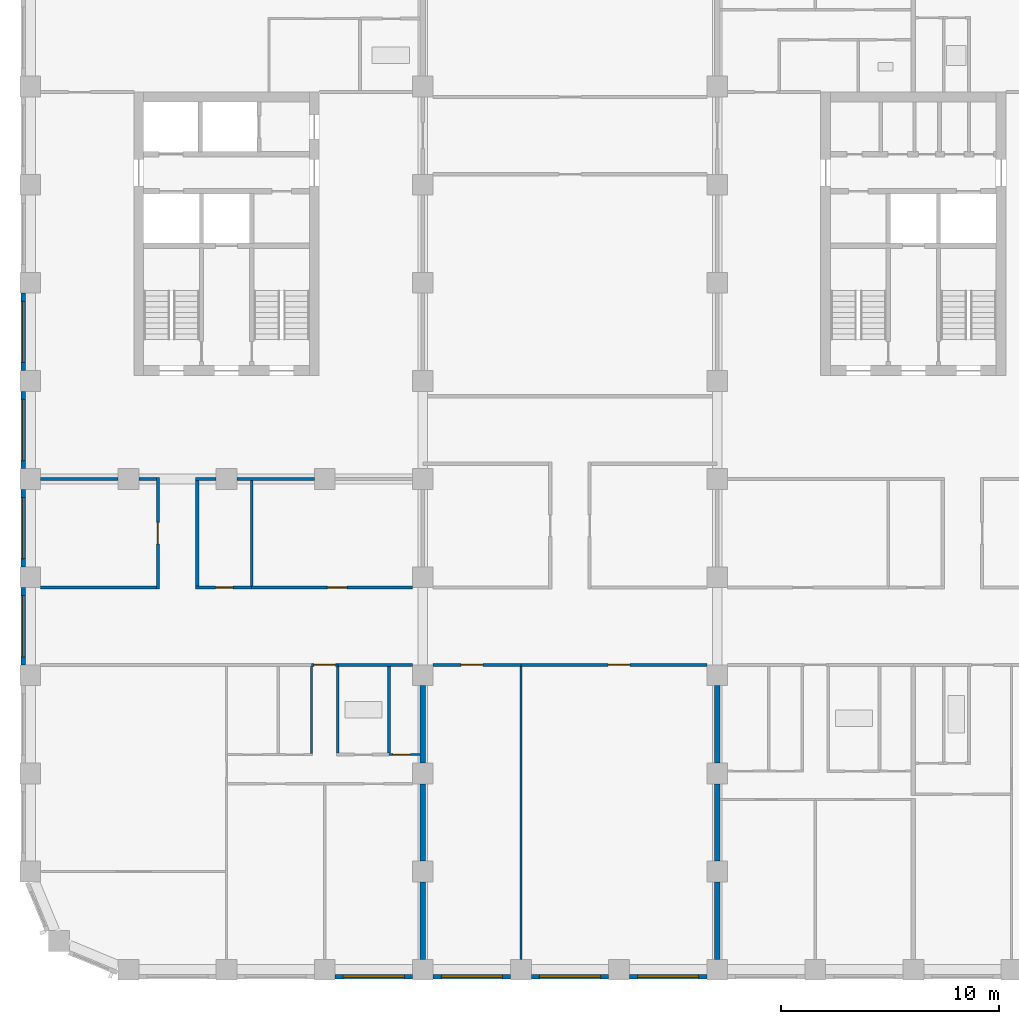
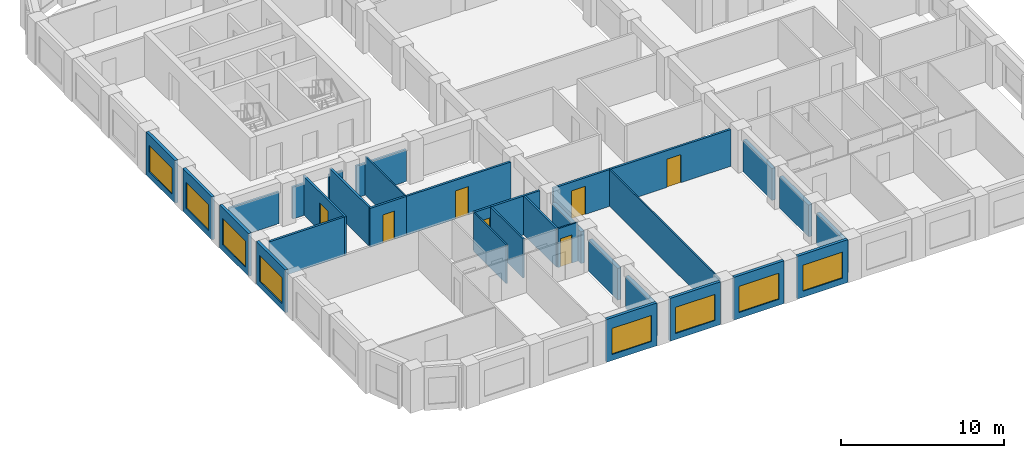
# One storey, part 3 of 12: 33 walls, 8 windows, 7 doors, 15 openings.
"""IFC4 building model written with IfcOpenShell, lengths in metres."""

from ifc_helpers import new_model, si_unit, direction, frame, frame_2d, origin, place, context, subcontext, project, spatial, rectangle, extrude, material, layer, layer_set, type_object, element, fill, save


model = new_model("IFC4")

# Units and contexts
model_context = context("Model", 3, precision=1e-05, world=origin(), true_north=direction((0.0, 1.0)))
body_context = subcontext(model_context, "Body", "Model", "MODEL_VIEW")
ifc_project = project(units=[si_unit("LENGTHUNIT", "METRE"), si_unit("AREAUNIT", "SQUARE_METRE"), si_unit("VOLUMEUNIT", "CUBIC_METRE"), si_unit("PLANEANGLEUNIT", "RADIAN"), si_unit("MASSUNIT", "GRAM", prefix="KILO")], contexts=[model_context])

# Site, building, storey
site_placement = place(None, origin())
site = spatial("IfcSite", under=ifc_project, at=site_placement, CompositionType="ELEMENT")
building_placement = place(site_placement, origin())
building = spatial("IfcBuilding", under=site, at=building_placement, Name="Girih Gate Residences", CompositionType="ELEMENT")
storey_placement = place(building_placement, frame((0.0, 0.0, 143.0)))
storey = spatial("IfcBuildingStorey", under=building, at=storey_placement, Name="L40", CompositionType="ELEMENT", Elevation=143.0)

# Walls
ifc_material_1 = material(Name="Gypsum board on steel studs", Category="steel")
ifc_layer_1 = layer(ifc_material_1, 0.25)
ifc_layer_set_1 = layer_set([ifc_layer_1], Name="Acoustic separating wall 250 mm")
wall_type_1 = type_object("IfcWallType", Name="Acoustic separating wall 250 mm", PredefinedType="PARTITIONING", material=ifc_layer_set_1)
for number, where, z_axis, x_axis, name in (
    (1, (18.0, 4.97509765625, 0.0), (0.0, 0.0, 1.0), (0.0, 1.0, 0.0), "L40 partition"),
    (2, (18.0, 0.47509765625, 0.0), (0.0, 0.0, 1.0), (0.0, 1.0, 0.0), "L40 partition"),
    (3, (18.0, 9.47509765625, 0.0), (0.0, 0.0, 1.0), (0.0, 1.0, 0.0), "L40 partition"),
    (4, (31.5, 9.47509765625, 0.0), (0.0, 0.0, 1.0), (0.0, 1.0, 0.0), "L40 partition"),
    (5, (31.5, 0.47509765625, 0.0), (0.0, 0.0, 1.0), (0.0, 1.0, 0.0), "L40 partition"),
    (6, (31.5, 4.97509765625, 0.0), (0.0, 0.0, 1.0), (0.0, 1.0, 0.0), "L40 partition"),
):
    element("IfcWall", number, at=place(storey_placement, frame(where, z_axis=z_axis, x_axis=x_axis)), inside=storey, type_object=wall_type_1, Name=name, PredefinedType="PARTITIONING", context=body_context, shape_type="SweptSolid", body=[
        extrude(rectangle(XDim=3.5498046875, YDim=0.25, at=frame_2d((1.77490234375, 0.0))), origin(), (0.0, 0.0, 1.0), 2.3798828125),
    ])
ifc_layer_2 = layer(ifc_material_1, 0.14990234375)
ifc_layer_set_2 = layer_set([ifc_layer_2], Name="Compartment wall 150 mm")
wall_type_2 = type_object("IfcWallType", Name="Compartment wall 150 mm", PredefinedType="PARTITIONING", material=ifc_layer_set_2)
wall_1_placement = place(storey_placement, frame((14.10009765625, 13.97509765625, 0.0), z_axis=(0.0, 0.0, 1.0), x_axis=(1.0, 0.0, 0.0)))
element("IfcWall", 7, at=wall_1_placement, inside=storey, type_object=wall_type_2, Name="L40 partition", PredefinedType="PARTITIONING", context=body_context, shape_type="SweptSolid", body=[
    extrude(rectangle(XDim=3.4248046875, YDim=0.14990234375, at=frame_2d((1.71240234375, 0.0))), origin(), (0.0, 0.0, 1.0), 2.89990234375),
])

# Wall, opening, door
wall_2_placement = place(storey_placement, frame((14.10009765625, 13.97509765625, 0.0), z_axis=(0.0, 0.0, 1.0), x_axis=(-1.0, 0.0, 0.0)))
wall_2 = element("IfcWall", 8, at=wall_2_placement, inside=storey, type_object=wall_type_2, Name="L40 partition", PredefinedType="PARTITIONING", context=body_context, shape_type="SweptSolid", body=[
    extrude(rectangle(XDim=1.2001953125, YDim=0.14990234375, at=frame_2d((0.60009765625, 0.0))), origin(), (0.0, 0.0, 1.0), 2.89990234375),
])
opening_1_placement = place(wall_2_placement, frame((0.10009765625, 0.0, 0.0)))
opening_1 = element("IfcOpeningElement", 9, at=opening_1_placement, cuts=wall_2, Name="Opening A40-009", PredefinedType="OPENING", context=body_context, shape_type="SweptSolid", body=[
    extrude(rectangle(XDim=1.0, YDim=2.10009765625, at=frame_2d((0.5, 1.050048828125))), frame((0.0, 0.0849609375, 0.0), z_axis=(0.0, -1.0, 0.0), x_axis=(1.0, 0.0, 0.0)), (0.0, 0.0, 1.0), 0.169921875),
])
ifc_material_2 = material(Name="Timber, fire-rated core", Category="wood")
door_type_1 = type_object("IfcDoorType", Name="Flat entrance door 1000x2100 FD30S", OperationType="NOTDEFINED", PredefinedType="DOOR", material=ifc_material_2)
door_1_placement = place(opening_1_placement, origin())
door_1 = element("IfcDoor", 10, at=door_1_placement, inside=storey, type_object=door_type_1, Name="Door A40-009", OperationType="SINGLE_SWING_RIGHT", OverallHeight=2.10009765625, OverallWidth=1.0, PredefinedType="DOOR", context=body_context, shape_type="SweptSolid", body=[
    extrude(rectangle(XDim=1.0, YDim=2.10009765625, at=frame_2d((0.5, 1.050048828125))), frame((0.0, 0.02490234375, 0.0), z_axis=(0.0, -1.0, 0.0), x_axis=(1.0, 0.0, 0.0)), (0.0, 0.0, 1.0), 0.050048828125),
])
fill(opening_1, door_1)

wall_3_placement = place(storey_placement, frame((22.5, 13.97509765625, 0.0), z_axis=(0.0, 0.0, 1.0), x_axis=(-1.0, 0.0, 0.0)))
wall_3 = element("IfcWall", 11, at=wall_3_placement, inside=storey, type_object=wall_type_2, Name="L40 partition", PredefinedType="PARTITIONING", context=body_context, shape_type="SweptSolid", body=[
    extrude(rectangle(XDim=4.02490234375, YDim=0.14990234375, at=frame_2d((2.012451171875, 0.0))), origin(), (0.0, 0.0, 1.0), 2.75),
])
opening_2_placement = place(wall_3_placement, frame((1.75, 0.0, 0.0)))
opening_2 = element("IfcOpeningElement", 12, at=opening_2_placement, cuts=wall_3, Name="Opening A40-042", PredefinedType="OPENING", context=body_context, shape_type="SweptSolid", body=[
    extrude(rectangle(XDim=1.0, YDim=2.10009765625, at=frame_2d((0.5, 1.050048828125))), frame((0.0, 0.0849609375, 0.0), z_axis=(0.0, -1.0, 0.0), x_axis=(1.0, 0.0, 0.0)), (0.0, 0.0, 1.0), 0.169921875),
])
door_type_2 = type_object("IfcDoorType", Name="Amenity room door 1000x2100 FD30S", OperationType="NOTDEFINED", PredefinedType="DOOR", material=ifc_material_2)
door_2_placement = place(opening_2_placement, origin())
door_2 = element("IfcDoor", 13, at=door_2_placement, inside=storey, type_object=door_type_2, Name="Door A40-042", OperationType="SINGLE_SWING_RIGHT", OverallHeight=2.10009765625, OverallWidth=1.0, PredefinedType="DOOR", context=body_context, shape_type="SweptSolid", body=[
    extrude(rectangle(XDim=1.0, YDim=2.10009765625, at=frame_2d((0.5, 1.050048828125))), frame((0.0, 0.02490234375, 0.0), z_axis=(0.0, -1.0, 0.0), x_axis=(1.0, 0.0, 0.0)), (0.0, 0.0, 1.0), 0.050048828125),
])
fill(opening_2, door_2)

wall_4_placement = place(storey_placement, frame((31.02490234375, 13.97509765625, 0.0), z_axis=(0.0, 0.0, 1.0), x_axis=(-1.0, 0.0, 0.0)))
wall_4 = element("IfcWall", 14, at=wall_4_placement, inside=storey, type_object=wall_type_2, Name="L40 partition", PredefinedType="PARTITIONING", context=body_context, shape_type="SweptSolid", body=[
    extrude(rectangle(XDim=8.52490234375, YDim=0.14990234375, at=frame_2d((4.262451171875, 0.0))), origin(), (0.0, 0.0, 1.0), 2.75),
])
opening_3_placement = place(wall_4_placement, frame((3.52490234375, 0.0, 0.0)))
opening_3 = element("IfcOpeningElement", 15, at=opening_3_placement, cuts=wall_4, Name="Opening A40-043", PredefinedType="OPENING", context=body_context, shape_type="SweptSolid", body=[
    extrude(rectangle(XDim=1.0, YDim=2.10009765625, at=frame_2d((0.5, 1.050048828125))), frame((0.0, 0.0849609375, 0.0), z_axis=(0.0, -1.0, 0.0), x_axis=(1.0, 0.0, 0.0)), (0.0, 0.0, 1.0), 0.169921875),
])
door_3_placement = place(opening_3_placement, origin())
door_3 = element("IfcDoor", 16, at=door_3_placement, inside=storey, type_object=door_type_2, Name="Door A40-043", OperationType="SINGLE_SWING_LEFT", OverallHeight=2.10009765625, OverallWidth=1.0, PredefinedType="DOOR", context=body_context, shape_type="SweptSolid", body=[
    extrude(rectangle(XDim=1.0, YDim=2.10009765625, at=frame_2d((0.5, 1.050048828125))), frame((0.0, 0.02490234375, 0.0), z_axis=(0.0, -1.0, 0.0), x_axis=(1.0, 0.0, 0.0)), (0.0, 0.0, 1.0), 0.050048828125),
])
fill(opening_3, door_3)

wall_5_placement = place(storey_placement, frame((10.14990234375, 17.52490234375, 0.0), z_axis=(0.0, 0.0, 1.0), x_axis=(1.0, 0.0, 0.0)))
wall_5 = element("IfcWall", 17, at=wall_5_placement, inside=storey, type_object=wall_type_2, Name="L40 partition", PredefinedType="PARTITIONING", context=body_context, shape_type="SweptSolid", body=[
    extrude(rectangle(XDim=7.375, YDim=0.14990234375, at=frame_2d((3.6875, 0.0))), origin(), (0.0, 0.0, 1.0), 2.89990234375),
])
opening_4_placement = place(wall_5_placement, frame((3.47509765625, 0.0, 0.0)))
opening_4 = element("IfcOpeningElement", 18, at=opening_4_placement, cuts=wall_5, Name="Opening A40-047", PredefinedType="OPENING", context=body_context, shape_type="SweptSolid", body=[
    extrude(rectangle(XDim=0.89990234375, YDim=2.10009765625, at=frame_2d((0.449951171875, 1.050048828125))), frame((0.0, 0.0849609375, 0.0), z_axis=(0.0, -1.0, 0.0), x_axis=(1.0, 0.0, 0.0)), (0.0, 0.0, 1.0), 0.169921875),
])
ifc_material_3 = material(Name="Timber", Category="wood")
door_type_3 = type_object("IfcDoorType", Name="Service room door 900x2100", OperationType="NOTDEFINED", PredefinedType="DOOR", material=ifc_material_3)
door_4_placement = place(opening_4_placement, origin())
door_4 = element("IfcDoor", 19, at=door_4_placement, inside=storey, type_object=door_type_3, Name="Door A40-047", OperationType="SINGLE_SWING_RIGHT", OverallHeight=2.10009765625, OverallWidth=0.89990234375, PredefinedType="DOOR", context=body_context, shape_type="SweptSolid", body=[
    extrude(rectangle(XDim=0.89990234375, YDim=2.10009765625, at=frame_2d((0.449951171875, 1.050048828125))), frame((0.0, 0.02490234375, 0.0), z_axis=(0.0, -1.0, 0.0), x_axis=(1.0, 0.0, 0.0)), (0.0, 0.0, 1.0), 0.050048828125),
])
fill(opening_4, door_4)

wall_6_placement = place(storey_placement, frame((7.574951171875, 17.52490234375, 0.0), z_axis=(0.0, 0.0, 1.0), x_axis=(1.0, 0.0, 0.0)))
wall_6 = element("IfcWall", 20, at=wall_6_placement, inside=storey, type_object=wall_type_2, Name="L40 partition", PredefinedType="PARTITIONING", context=body_context, shape_type="SweptSolid", body=[
    extrude(rectangle(XDim=2.574951171875, YDim=0.14990234375, at=frame_2d((1.28759765625, 0.0))), origin(), (0.0, 0.0, 1.0), 2.89990234375),
])
opening_5_placement = place(wall_6_placement, frame((0.925048828125, 0.0, 0.0)))
opening_5 = element("IfcOpeningElement", 21, at=opening_5_placement, cuts=wall_6, Name="Opening A40-049", PredefinedType="OPENING", context=body_context, shape_type="SweptSolid", body=[
    extrude(rectangle(XDim=0.800048828125, YDim=2.10009765625, at=frame_2d((0.39990234375, 1.050048828125))), frame((0.0, 0.0849609375, 0.0), z_axis=(0.0, -1.0, 0.0), x_axis=(1.0, 0.0, 0.0)), (0.0, 0.0, 1.0), 0.169921875),
])
door_type_4 = type_object("IfcDoorType", Name="Bathroom door 800x2100", OperationType="NOTDEFINED", PredefinedType="DOOR", material=ifc_material_3)
door_5_placement = place(opening_5_placement, origin())
door_5 = element("IfcDoor", 22, at=door_5_placement, inside=storey, type_object=door_type_4, Name="Door A40-049", OperationType="SINGLE_SWING_RIGHT", OverallHeight=2.10009765625, OverallWidth=0.800048828125, PredefinedType="DOOR", context=body_context, shape_type="SweptSolid", body=[
    extrude(rectangle(XDim=0.800048828125, YDim=2.10009765625, at=frame_2d((0.39990234375, 1.050048828125))), frame((0.0, 0.02490234375, 0.0), z_axis=(0.0, -1.0, 0.0), x_axis=(1.0, 0.0, 0.0)), (0.0, 0.0, 1.0), 0.050048828125),
])
fill(opening_5, door_5)

# Walls
wall_7_placement = place(storey_placement, frame((0.47509765625, 17.52490234375, 0.0), z_axis=(0.0, 0.0, 1.0), x_axis=(1.0, 0.0, 0.0)))
element("IfcWall", 23, at=wall_7_placement, inside=storey, type_object=wall_type_2, Name="L40 partition", PredefinedType="PARTITIONING", context=body_context, shape_type="SweptSolid", body=[
    extrude(rectangle(XDim=5.2998046875, YDim=0.14990234375, at=frame_2d((2.64990234375, 0.0))), origin(), (0.0, 0.0, 1.0), 2.89990234375),
])
wall_8_placement = place(storey_placement, frame((9.47509765625, 22.5, 0.0), z_axis=(0.0, 0.0, 1.0), x_axis=(1.0, 0.0, 0.0)))
element("IfcWall", 24, at=wall_8_placement, inside=storey, type_object=wall_type_2, Name="L40 partition", PredefinedType="PARTITIONING", context=body_context, shape_type="SweptSolid", body=[
    extrude(rectangle(XDim=3.5498046875, YDim=0.14990234375, at=frame_2d((1.77490234375, 0.0))), origin(), (0.0, 0.0, 1.0), 2.3798828125),
])
wall_9_placement = place(storey_placement, frame((7.574951171875, 22.5, 0.0), z_axis=(0.0, 0.0, 1.0), x_axis=(1.0, 0.0, 0.0)))
element("IfcWall", 25, at=wall_9_placement, inside=storey, type_object=wall_type_2, Name="L40 partition", PredefinedType="PARTITIONING", context=body_context, shape_type="SweptSolid", body=[
    extrude(rectangle(XDim=0.949951171875, YDim=0.14990234375, at=frame_2d((0.47509765625, 0.0))), origin(), (0.0, 0.0, 1.0), 2.3798828125),
])
wall_10_placement = place(storey_placement, frame((4.97509765625, 22.5, 0.0), z_axis=(0.0, 0.0, 1.0), x_axis=(1.0, 0.0, 0.0)))
element("IfcWall", 26, at=wall_10_placement, inside=storey, type_object=wall_type_2, Name="L40 partition", PredefinedType="PARTITIONING", context=body_context, shape_type="SweptSolid", body=[
    extrude(rectangle(XDim=0.7998046875, YDim=0.14990234375, at=frame_2d((0.39990234375, 0.0))), origin(), (0.0, 0.0, 1.0), 2.3798828125),
])
wall_11_placement = place(storey_placement, frame((0.47509765625, 22.5, 0.0), z_axis=(0.0, 0.0, 1.0), x_axis=(1.0, 0.0, 0.0)))
element("IfcWall", 27, at=wall_11_placement, inside=storey, type_object=wall_type_2, Name="L40 partition", PredefinedType="PARTITIONING", context=body_context, shape_type="SweptSolid", body=[
    extrude(rectangle(XDim=3.5498046875, YDim=0.14990234375, at=frame_2d((1.77490234375, 0.0))), origin(), (0.0, 0.0, 1.0), 2.3798828125),
])
wall_12_placement = place(storey_placement, frame((7.64990234375, 17.60009765625, 0.0), z_axis=(0.0, 0.0, 1.0), x_axis=(0.0, 1.0, 0.0)))
element("IfcWall", 28, at=wall_12_placement, inside=storey, type_object=wall_type_2, Name="L40 partition", PredefinedType="PARTITIONING", context=body_context, shape_type="SweptSolid", body=[
    extrude(rectangle(XDim=4.824951171875, YDim=0.14990234375, at=frame_2d((2.41259765625, 0.0))), origin(), (0.0, 0.0, 1.0), 2.89990234375),
])

# Wall, opening, door
wall_13_placement = place(storey_placement, frame((5.85009765625, 17.449951171875, 0.0), z_axis=(0.0, 0.0, 1.0), x_axis=(0.0, 1.0, 0.0)))
wall_13 = element("IfcWall", 29, at=wall_13_placement, inside=storey, type_object=wall_type_2, Name="L40 partition", PredefinedType="PARTITIONING", context=body_context, shape_type="SweptSolid", body=[
    extrude(rectangle(XDim=5.125, YDim=0.14990234375, at=frame_2d((2.5625, 0.0))), origin(), (0.0, 0.0, 1.0), 2.89990234375),
])
opening_6_placement = place(wall_13_placement, frame((2.0625, 0.0, 0.0)))
opening_6 = element("IfcOpeningElement", 30, at=opening_6_placement, cuts=wall_13, Name="Opening A40-051", PredefinedType="OPENING", context=body_context, shape_type="SweptSolid", body=[
    extrude(rectangle(XDim=1.0, YDim=2.10009765625, at=frame_2d((0.5, 1.050048828125))), frame((0.0, 0.0849609375, 0.0), z_axis=(0.0, -1.0, 0.0), x_axis=(1.0, 0.0, 0.0)), (0.0, 0.0, 1.0), 0.169921875),
])
door_6_placement = place(opening_6_placement, origin())
door_6 = element("IfcDoor", 31, at=door_6_placement, inside=storey, type_object=door_type_2, Name="Door A40-051", OperationType="SINGLE_SWING_RIGHT", OverallHeight=2.10009765625, OverallWidth=1.0, PredefinedType="DOOR", context=body_context, shape_type="SweptSolid", body=[
    extrude(rectangle(XDim=1.0, YDim=2.10009765625, at=frame_2d((0.5, 1.050048828125))), frame((0.0, 0.02490234375, 0.0), z_axis=(0.0, -1.0, 0.0), x_axis=(1.0, 0.0, 0.0)), (0.0, 0.0, 1.0), 0.050048828125),
])
fill(opening_6, door_6)

ifc_layer_3 = layer(ifc_material_1, 0.10009765625)
ifc_layer_set_3 = layer_set([ifc_layer_3], Name="Partition 100 mm")
wall_type_3 = type_object("IfcWallType", Name="Partition 100 mm", PredefinedType="PARTITIONING", material=ifc_layer_set_3)
wall_14_placement = place(storey_placement, frame((16.451171875, 9.864990234375, 0.0), z_axis=(0.0, 0.0, 1.0), x_axis=(1.0, 0.0, 0.0)))
wall_14 = element("IfcWall", 32, at=wall_14_placement, inside=storey, type_object=wall_type_3, Name="L40 partition", PredefinedType="PARTITIONING", context=body_context, shape_type="SweptSolid", body=[
    extrude(rectangle(XDim=1.423828125, YDim=0.10009765625, at=frame_2d((0.7119140625, 0.0))), origin(), (0.0, 0.0, 1.0), 2.89990234375),
])
opening_7_placement = place(wall_14_placement, frame((0.174560546875, 0.0, 0.0)))
opening_7 = element("IfcOpeningElement", 33, at=opening_7_placement, cuts=wall_14, Name="Opening A40-007", PredefinedType="OPENING", context=body_context, shape_type="SweptSolid", body=[
    extrude(rectangle(XDim=0.800048828125, YDim=2.10009765625, at=frame_2d((0.39990234375, 1.050048828125))), frame((0.0, 0.06005859375, 0.0), z_axis=(0.0, -1.0, 0.0), x_axis=(1.0, 0.0, 0.0)), (0.0, 0.0, 1.0), 0.1201171875),
])
door_type_5 = type_object("IfcDoorType", Name="Store door 800x2100", OperationType="NOTDEFINED", PredefinedType="DOOR", material=ifc_material_3)
door_7_placement = place(opening_7_placement, origin())
door_7 = element("IfcDoor", 34, at=door_7_placement, inside=storey, type_object=door_type_5, Name="Door A40-007", OperationType="SINGLE_SWING_LEFT", OverallHeight=2.10009765625, OverallWidth=0.800048828125, PredefinedType="DOOR", context=body_context, shape_type="SweptSolid", body=[
    extrude(rectangle(XDim=0.800048828125, YDim=2.10009765625, at=frame_2d((0.39990234375, 1.050048828125))), frame((0.0, 0.02490234375, 0.0), z_axis=(0.0, -1.0, 0.0), x_axis=(1.0, 0.0, 0.0)), (0.0, 0.0, 1.0), 0.050048828125),
])
fill(opening_7, door_7)

# Walls
wall_15_placement = place(storey_placement, frame((12.89990234375, 9.9150390625, 0.0), z_axis=(0.0, 0.0, 1.0), x_axis=(0.0, 1.0, 0.0)))
element("IfcWall", 35, at=wall_15_placement, inside=storey, type_object=wall_type_3, Name="L40 partition", PredefinedType="PARTITIONING", context=body_context, shape_type="SweptSolid", body=[
    extrude(rectangle(XDim=3.98486328125, YDim=0.10009765625, at=frame_2d((1.992431640625, 0.0))), origin(), (0.0, 0.0, 1.0), 2.89990234375),
])
wall_16_placement = place(storey_placement, frame((22.5, 0.47509765625, 0.0), z_axis=(0.0, 0.0, 1.0), x_axis=(0.0, 1.0, 0.0)))
element("IfcWall", 36, at=wall_16_placement, inside=storey, type_object=wall_type_3, Name="L40 partition", PredefinedType="PARTITIONING", context=body_context, shape_type="SweptSolid", body=[
    extrude(rectangle(XDim=13.4248046875, YDim=0.10009765625, at=frame_2d((6.71240234375, 0.0))), origin(), (0.0, 0.0, 1.0), 2.75),
])
wall_17_placement = place(storey_placement, frame((10.14990234375, 17.60009765625, 0.0), z_axis=(0.0, 0.0, 1.0), x_axis=(0.0, 1.0, 0.0)))
element("IfcWall", 37, at=wall_17_placement, inside=storey, type_object=wall_type_3, Name="L40 partition", PredefinedType="PARTITIONING", context=body_context, shape_type="SweptSolid", body=[
    extrude(rectangle(XDim=4.824951171875, YDim=0.10009765625, at=frame_2d((2.41259765625, 0.0))), origin(), (0.0, 0.0, 1.0), 2.89990234375),
])

# Wall, opening, window
ifc_material_4 = material(Name="Precast concrete C50/60", Category="concrete")
ifc_layer_4 = layer(ifc_material_4, 0.06005859375, Name="Outer leaf")
ifc_material_5 = material(Name="Rigid PIR insulation")
ifc_layer_5 = layer(ifc_material_5, 0.090087890625, Name="Insulation")
ifc_material_6 = material(Name="Precast concrete C40/50", Category="concrete")
ifc_layer_6 = layer(ifc_material_6, 0.050048828125, Name="Inner leaf")
ifc_layer_set_4 = layer_set([ifc_layer_4, ifc_layer_5, ifc_layer_6], Name="Precast concrete C50/60 external wall 200")
wall_type_4 = type_object("IfcWallType", Name="Precast concrete C50/60 external wall 200", PredefinedType="SOLIDWALL", material=ifc_layer_set_4)
wall_18_placement = place(storey_placement, frame((17.52490234375, -0.324951171875, 0.0), z_axis=(0.0, 0.0, 1.0), x_axis=(-1.0, 0.0, 0.0)))
wall_18 = element("IfcWall", 38, at=wall_18_placement, inside=storey, type_object=wall_type_4, Name="External wall S0045_0000.2", PredefinedType="SOLIDWALL", context=body_context, shape_type="SweptSolid", body=[
    extrude(rectangle(XDim=3.5498046875, YDim=0.199951171875, at=frame_2d((1.77490234375, 0.0))), origin(), (0.0, 0.0, 1.0), 3.199951171875),
])
opening_8_placement = place(wall_18_placement, frame((0.375, 0.0, 0.449951171875)))
opening_8 = element("IfcOpeningElement", 39, at=opening_8_placement, cuts=wall_18, Name="Opening W-1B", PredefinedType="OPENING", context=body_context, shape_type="SweptSolid", body=[
    extrude(rectangle(XDim=2.800048828125, YDim=1.949951171875, at=frame_2d((1.39990234375, 0.97509765625))), frame((0.0, 0.10986328125, 0.0), z_axis=(0.0, -1.0, 0.0), x_axis=(1.0, 0.0, 0.0)), (0.0, 0.0, 1.0), 0.219970703125),
])
ifc_material_7 = material(Name="Double glazing in aluminium frame", Category="aluminium")
window_type = type_object("IfcWindowType", Name="Window W-1B 2800x1950", PartitioningType="SINGLE_PANEL", PredefinedType="WINDOW", material=ifc_material_7)
window_1_placement = place(opening_8_placement, origin())
window_1 = element("IfcWindow", 40, at=window_1_placement, inside=storey, type_object=window_type, Name="Window W-1B S0045_0000.2", OverallHeight=1.949951171875, OverallWidth=2.800048828125, PartitioningType="SINGLE_PANEL", PredefinedType="WINDOW", context=body_context, shape_type="SweptSolid", body=[
    extrude(rectangle(XDim=2.800048828125, YDim=1.949951171875, at=frame_2d((1.39990234375, 0.97509765625))), frame((0.0, 0.030029296875, 0.0), z_axis=(0.0, -1.0, 0.0), x_axis=(1.0, 0.0, 0.0)), (0.0, 0.0, 1.0), 0.06005859375),
])
fill(opening_8, window_1)

wall_19_placement = place(storey_placement, frame((22.02490234375, -0.324951171875, 0.0), z_axis=(0.0, 0.0, 1.0), x_axis=(-1.0, 0.0, 0.0)))
wall_19 = element("IfcWall", 41, at=wall_19_placement, inside=storey, type_object=wall_type_4, Name="External wall S0045_0000.3", PredefinedType="SOLIDWALL", context=body_context, shape_type="SweptSolid", body=[
    extrude(rectangle(XDim=3.5498046875, YDim=0.199951171875, at=frame_2d((1.77490234375, 0.0))), origin(), (0.0, 0.0, 1.0), 3.199951171875),
])
opening_9_placement = place(wall_19_placement, frame((0.375, 0.0, 0.449951171875)))
opening_9 = element("IfcOpeningElement", 42, at=opening_9_placement, cuts=wall_19, Name="Opening W-1B", PredefinedType="OPENING", context=body_context, shape_type="SweptSolid", body=[
    extrude(rectangle(XDim=2.800048828125, YDim=1.949951171875, at=frame_2d((1.39990234375, 0.97509765625))), frame((0.0, 0.10986328125, 0.0), z_axis=(0.0, -1.0, 0.0), x_axis=(1.0, 0.0, 0.0)), (0.0, 0.0, 1.0), 0.219970703125),
])
window_2_placement = place(opening_9_placement, origin())
window_2 = element("IfcWindow", 43, at=window_2_placement, inside=storey, type_object=window_type, Name="Window W-1B S0045_0000.3", OverallHeight=1.949951171875, OverallWidth=2.800048828125, PartitioningType="SINGLE_PANEL", PredefinedType="WINDOW", context=body_context, shape_type="SweptSolid", body=[
    extrude(rectangle(XDim=2.800048828125, YDim=1.949951171875, at=frame_2d((1.39990234375, 0.97509765625))), frame((0.0, 0.030029296875, 0.0), z_axis=(0.0, -1.0, 0.0), x_axis=(1.0, 0.0, 0.0)), (0.0, 0.0, 1.0), 0.06005859375),
])
fill(opening_9, window_2)

wall_20_placement = place(storey_placement, frame((26.52490234375, -0.324951171875, 0.0), z_axis=(0.0, 0.0, 1.0), x_axis=(-1.0, 0.0, 0.0)))
wall_20 = element("IfcWall", 44, at=wall_20_placement, inside=storey, type_object=wall_type_4, Name="External wall S0045_0000.4", PredefinedType="SOLIDWALL", context=body_context, shape_type="SweptSolid", body=[
    extrude(rectangle(XDim=3.5498046875, YDim=0.199951171875, at=frame_2d((1.77490234375, 0.0))), origin(), (0.0, 0.0, 1.0), 3.199951171875),
])
opening_10_placement = place(wall_20_placement, frame((0.375, 0.0, 0.449951171875)))
opening_10 = element("IfcOpeningElement", 45, at=opening_10_placement, cuts=wall_20, Name="Opening W-1B", PredefinedType="OPENING", context=body_context, shape_type="SweptSolid", body=[
    extrude(rectangle(XDim=2.800048828125, YDim=1.949951171875, at=frame_2d((1.39990234375, 0.97509765625))), frame((0.0, 0.10986328125, 0.0), z_axis=(0.0, -1.0, 0.0), x_axis=(1.0, 0.0, 0.0)), (0.0, 0.0, 1.0), 0.219970703125),
])
window_3_placement = place(opening_10_placement, origin())
window_3 = element("IfcWindow", 46, at=window_3_placement, inside=storey, type_object=window_type, Name="Window W-1B S0045_0000.4", OverallHeight=1.949951171875, OverallWidth=2.800048828125, PartitioningType="SINGLE_PANEL", PredefinedType="WINDOW", context=body_context, shape_type="SweptSolid", body=[
    extrude(rectangle(XDim=2.800048828125, YDim=1.949951171875, at=frame_2d((1.39990234375, 0.97509765625))), frame((0.0, 0.030029296875, 0.0), z_axis=(0.0, -1.0, 0.0), x_axis=(1.0, 0.0, 0.0)), (0.0, 0.0, 1.0), 0.06005859375),
])
fill(opening_10, window_3)

wall_21_placement = place(storey_placement, frame((31.02490234375, -0.324951171875, 0.0), z_axis=(0.0, 0.0, 1.0), x_axis=(-1.0, 0.0, 0.0)))
wall_21 = element("IfcWall", 47, at=wall_21_placement, inside=storey, type_object=wall_type_4, Name="External wall S0045_0000.5", PredefinedType="SOLIDWALL", context=body_context, shape_type="SweptSolid", body=[
    extrude(rectangle(XDim=3.5498046875, YDim=0.199951171875, at=frame_2d((1.77490234375, 0.0))), origin(), (0.0, 0.0, 1.0), 3.199951171875),
])
opening_11_placement = place(wall_21_placement, frame((0.375, 0.0, 0.449951171875)))
opening_11 = element("IfcOpeningElement", 48, at=opening_11_placement, cuts=wall_21, Name="Opening W-1B", PredefinedType="OPENING", context=body_context, shape_type="SweptSolid", body=[
    extrude(rectangle(XDim=2.800048828125, YDim=1.949951171875, at=frame_2d((1.39990234375, 0.97509765625))), frame((0.0, 0.10986328125, 0.0), z_axis=(0.0, -1.0, 0.0), x_axis=(1.0, 0.0, 0.0)), (0.0, 0.0, 1.0), 0.219970703125),
])
window_4_placement = place(opening_11_placement, origin())
window_4 = element("IfcWindow", 49, at=window_4_placement, inside=storey, type_object=window_type, Name="Window W-1B S0045_0000.5", OverallHeight=1.949951171875, OverallWidth=2.800048828125, PartitioningType="SINGLE_PANEL", PredefinedType="WINDOW", context=body_context, shape_type="SweptSolid", body=[
    extrude(rectangle(XDim=2.800048828125, YDim=1.949951171875, at=frame_2d((1.39990234375, 0.97509765625))), frame((0.0, 0.030029296875, 0.0), z_axis=(0.0, -1.0, 0.0), x_axis=(1.0, 0.0, 0.0)), (0.0, 0.0, 1.0), 0.06005859375),
])
fill(opening_11, window_4)

wall_22_placement = place(storey_placement, frame((-0.324951171875, 27.47509765625, 0.0), z_axis=(0.0, 0.0, 1.0), x_axis=(0.0, 1.0, 0.0)))
wall_22 = element("IfcWall", 50, at=wall_22_placement, inside=storey, type_object=wall_type_4, Name="External wall W0000_0450.3", PredefinedType="SOLIDWALL", context=body_context, shape_type="SweptSolid", body=[
    extrude(rectangle(XDim=3.5498046875, YDim=0.199951171875, at=frame_2d((1.77490234375, 0.0))), origin(), (0.0, 0.0, 1.0), 3.199951171875),
])
opening_12_placement = place(wall_22_placement, frame((0.375, 0.0, 0.449951171875)))
opening_12 = element("IfcOpeningElement", 51, at=opening_12_placement, cuts=wall_22, Name="Opening W-1B", PredefinedType="OPENING", context=body_context, shape_type="SweptSolid", body=[
    extrude(rectangle(XDim=2.800048828125, YDim=1.949951171875, at=frame_2d((1.39990234375, 0.97509765625))), frame((0.0, 0.10986328125, 0.0), z_axis=(0.0, -1.0, 0.0), x_axis=(1.0, 0.0, 0.0)), (0.0, 0.0, 1.0), 0.219970703125),
])
window_5_placement = place(opening_12_placement, origin())
window_5 = element("IfcWindow", 52, at=window_5_placement, inside=storey, type_object=window_type, Name="Window W-1B W0000_0450.3", OverallHeight=1.949951171875, OverallWidth=2.800048828125, PartitioningType="SINGLE_PANEL", PredefinedType="WINDOW", context=body_context, shape_type="SweptSolid", body=[
    extrude(rectangle(XDim=2.800048828125, YDim=1.949951171875, at=frame_2d((1.39990234375, 0.97509765625))), frame((0.0, 0.030029296875, 0.0), z_axis=(0.0, -1.0, 0.0), x_axis=(1.0, 0.0, 0.0)), (0.0, 0.0, 1.0), 0.06005859375),
])
fill(opening_12, window_5)

wall_23_placement = place(storey_placement, frame((-0.324951171875, 22.97509765625, 0.0), z_axis=(0.0, 0.0, 1.0), x_axis=(0.0, 1.0, 0.0)))
wall_23 = element("IfcWall", 53, at=wall_23_placement, inside=storey, type_object=wall_type_4, Name="External wall W0000_0450.4", PredefinedType="SOLIDWALL", context=body_context, shape_type="SweptSolid", body=[
    extrude(rectangle(XDim=3.5498046875, YDim=0.199951171875, at=frame_2d((1.77490234375, 0.0))), origin(), (0.0, 0.0, 1.0), 3.199951171875),
])
opening_13_placement = place(wall_23_placement, frame((0.375, 0.0, 0.449951171875)))
opening_13 = element("IfcOpeningElement", 54, at=opening_13_placement, cuts=wall_23, Name="Opening W-1B", PredefinedType="OPENING", context=body_context, shape_type="SweptSolid", body=[
    extrude(rectangle(XDim=2.800048828125, YDim=1.949951171875, at=frame_2d((1.39990234375, 0.97509765625))), frame((0.0, 0.10986328125, 0.0), z_axis=(0.0, -1.0, 0.0), x_axis=(1.0, 0.0, 0.0)), (0.0, 0.0, 1.0), 0.219970703125),
])
window_6_placement = place(opening_13_placement, origin())
window_6 = element("IfcWindow", 55, at=window_6_placement, inside=storey, type_object=window_type, Name="Window W-1B W0000_0450.4", OverallHeight=1.949951171875, OverallWidth=2.800048828125, PartitioningType="SINGLE_PANEL", PredefinedType="WINDOW", context=body_context, shape_type="SweptSolid", body=[
    extrude(rectangle(XDim=2.800048828125, YDim=1.949951171875, at=frame_2d((1.39990234375, 0.97509765625))), frame((0.0, 0.030029296875, 0.0), z_axis=(0.0, -1.0, 0.0), x_axis=(1.0, 0.0, 0.0)), (0.0, 0.0, 1.0), 0.06005859375),
])
fill(opening_13, window_6)

wall_24_placement = place(storey_placement, frame((-0.324951171875, 18.47509765625, 0.0), z_axis=(0.0, 0.0, 1.0), x_axis=(0.0, 1.0, 0.0)))
wall_24 = element("IfcWall", 56, at=wall_24_placement, inside=storey, type_object=wall_type_4, Name="External wall W0000_0450.5", PredefinedType="SOLIDWALL", context=body_context, shape_type="SweptSolid", body=[
    extrude(rectangle(XDim=3.5498046875, YDim=0.199951171875, at=frame_2d((1.77490234375, 0.0))), origin(), (0.0, 0.0, 1.0), 3.199951171875),
])
opening_14_placement = place(wall_24_placement, frame((0.375, 0.0, 0.449951171875)))
opening_14 = element("IfcOpeningElement", 57, at=opening_14_placement, cuts=wall_24, Name="Opening W-1B", PredefinedType="OPENING", context=body_context, shape_type="SweptSolid", body=[
    extrude(rectangle(XDim=2.800048828125, YDim=1.949951171875, at=frame_2d((1.39990234375, 0.97509765625))), frame((0.0, 0.10986328125, 0.0), z_axis=(0.0, -1.0, 0.0), x_axis=(1.0, 0.0, 0.0)), (0.0, 0.0, 1.0), 0.219970703125),
])
window_7_placement = place(opening_14_placement, origin())
window_7 = element("IfcWindow", 58, at=window_7_placement, inside=storey, type_object=window_type, Name="Window W-1B W0000_0450.5", OverallHeight=1.949951171875, OverallWidth=2.800048828125, PartitioningType="SINGLE_PANEL", PredefinedType="WINDOW", context=body_context, shape_type="SweptSolid", body=[
    extrude(rectangle(XDim=2.800048828125, YDim=1.949951171875, at=frame_2d((1.39990234375, 0.97509765625))), frame((0.0, 0.030029296875, 0.0), z_axis=(0.0, -1.0, 0.0), x_axis=(1.0, 0.0, 0.0)), (0.0, 0.0, 1.0), 0.06005859375),
])
fill(opening_14, window_7)

wall_25_placement = place(storey_placement, frame((-0.324951171875, 13.97509765625, 0.0), z_axis=(0.0, 0.0, 1.0), x_axis=(0.0, 1.0, 0.0)))
wall_25 = element("IfcWall", 59, at=wall_25_placement, inside=storey, type_object=wall_type_4, Name="External wall W0000_0450.6", PredefinedType="SOLIDWALL", context=body_context, shape_type="SweptSolid", body=[
    extrude(rectangle(XDim=3.5498046875, YDim=0.199951171875, at=frame_2d((1.77490234375, 0.0))), origin(), (0.0, 0.0, 1.0), 3.199951171875),
])
opening_15_placement = place(wall_25_placement, frame((0.375, 0.0, 0.449951171875)))
opening_15 = element("IfcOpeningElement", 60, at=opening_15_placement, cuts=wall_25, Name="Opening W-1B", PredefinedType="OPENING", context=body_context, shape_type="SweptSolid", body=[
    extrude(rectangle(XDim=2.800048828125, YDim=1.949951171875, at=frame_2d((1.39990234375, 0.97509765625))), frame((0.0, 0.10986328125, 0.0), z_axis=(0.0, -1.0, 0.0), x_axis=(1.0, 0.0, 0.0)), (0.0, 0.0, 1.0), 0.219970703125),
])
window_8_placement = place(opening_15_placement, origin())
window_8 = element("IfcWindow", 61, at=window_8_placement, inside=storey, type_object=window_type, Name="Window W-1B W0000_0450.6", OverallHeight=1.949951171875, OverallWidth=2.800048828125, PartitioningType="SINGLE_PANEL", PredefinedType="WINDOW", context=body_context, shape_type="SweptSolid", body=[
    extrude(rectangle(XDim=2.800048828125, YDim=1.949951171875, at=frame_2d((1.39990234375, 0.97509765625))), frame((0.0, 0.030029296875, 0.0), z_axis=(0.0, -1.0, 0.0), x_axis=(1.0, 0.0, 0.0)), (0.0, 0.0, 1.0), 0.06005859375),
])
fill(opening_15, window_8)

# Walls
ifc_layer_7 = layer(ifc_material_1, 0.125)
ifc_layer_set_5 = layer_set([ifc_layer_7], Name="Wet room wall 125 mm")
wall_type_5 = type_object("IfcWallType", Name="Wet room wall 125 mm", PredefinedType="PARTITIONING", material=ifc_layer_set_5)
for number, where, z_axis, x_axis, name in (
    (62, (14.10009765625, 9.927490234375, 0.0), (0.0, 0.0, 1.0), (0.0, 1.0, 0.0), "L40 partition"),
    (63, (16.450927734375, 9.927490234375, 0.0), (0.0, 0.0, 1.0), (0.0, 1.0, 0.0), "L40 partition"),
):
    element("IfcWall", number, at=place(storey_placement, frame(where, z_axis=z_axis, x_axis=x_axis)), inside=storey, type_object=wall_type_5, Name=name, PredefinedType="PARTITIONING", context=body_context, shape_type="SweptSolid", body=[
        extrude(rectangle(XDim=3.972412109375, YDim=0.125, at=frame_2d((1.986328125, 0.0))), origin(), (0.0, 0.0, 1.0), 2.89990234375),
    ])

save(model, "model.ifc")
